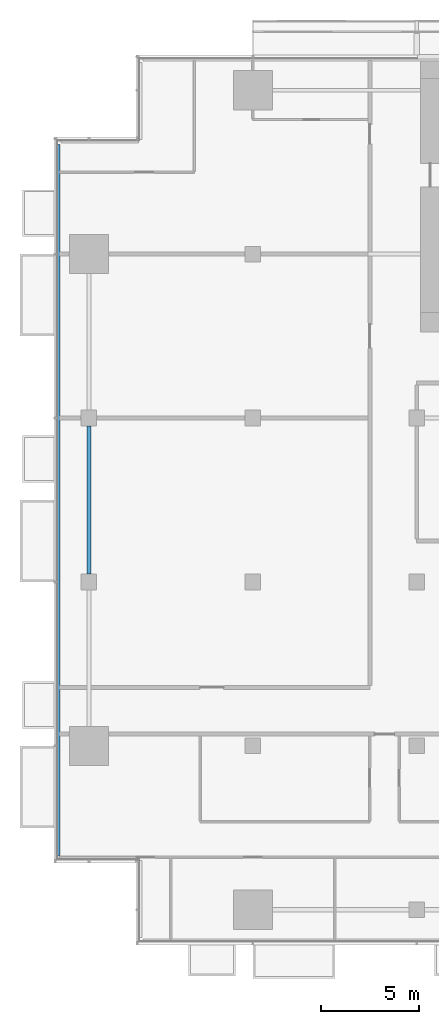
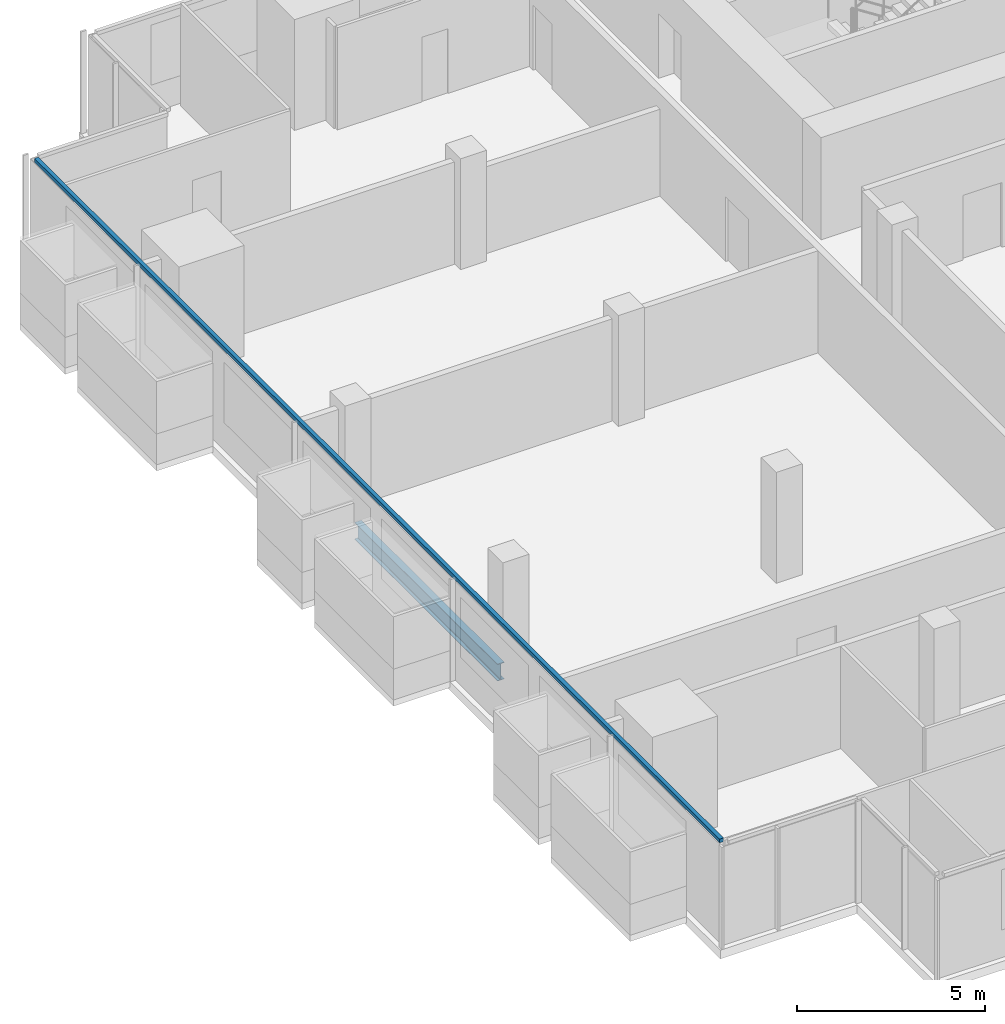
# One storey, part 3 of 26: 1 beam, 1 member, 1 element without a shape of its own.
"""IFC4 building model written with IfcOpenShell, lengths in metres."""

from ifc_helpers import new_model, si_unit, direction, frame, origin, origin_2d, place, context, subcontext, project, spatial, rectangle, i_section, extrude, material, material_profile, profile_set, type_object, element, aggregate, save


model = new_model("IFC4")

# Units and contexts
model_context = context("Model", 3, precision=1e-05, world=origin(), true_north=direction((0.0, 1.0)))
body_context = subcontext(model_context, "Body", "Model", "MODEL_VIEW")
ifc_project = project(units=[si_unit("LENGTHUNIT", "METRE"), si_unit("AREAUNIT", "SQUARE_METRE"), si_unit("VOLUMEUNIT", "CUBIC_METRE"), si_unit("PLANEANGLEUNIT", "RADIAN"), si_unit("MASSUNIT", "GRAM", prefix="KILO")], contexts=[model_context])

# Site, building, storey
site_placement = place(None, origin())
site = spatial("IfcSite", under=ifc_project, at=site_placement, CompositionType="ELEMENT")
building_placement = place(site_placement, origin())
building = spatial("IfcBuilding", under=site, at=building_placement, Name="Saffron Gate Tower", CompositionType="ELEMENT")
storey_placement = place(building_placement, frame((0.0, 0.0, 102.449951171875)))
storey = spatial("IfcBuildingStorey", under=building, at=storey_placement, Name="L23", CompositionType="ELEMENT", Elevation=102.449951171875)

# Beam
ifc_material_1 = material(Name="Structural steel S355", Category="steel")
ifc_material_profile_1 = material_profile(ifc_material_1, i_section(OverallWidth=0.2099609375, OverallDepth=0.550048828125, WebThickness=0.010986328125, FlangeThickness=0.01708984375, FilletRadius=0.02392578125, at=origin_2d()))
ifc_profile_set_1 = profile_set([ifc_material_profile_1], Name="Structural steel S355")
beam_type = type_object("IfcBeamType", Name="B13 IPE 550", PredefinedType="SPANDREL", material=ifc_profile_set_1)
beam_placement = place(storey_placement, frame((49.800048828125, 49.0, -0.554931640625), z_axis=(0.0, 1.0, 0.0), x_axis=(-1.0, 0.0, 0.0)))
element("IfcBeam", 1, at=beam_placement, inside=storey, type_object=beam_type, Name="B13 SPANDREL BEAM", PredefinedType="SPANDREL", context=body_context, shape_type="SweptSolid", body=[
    extrude(i_section(OverallWidth=0.2099609375, OverallDepth=0.550048828125, WebThickness=0.010986328125, FlangeThickness=0.01708984375, FilletRadius=0.02392578125, at=origin_2d()), origin(), (0.0, 0.0, 1.0), 7.60009765625),
])

# Curtain wall, member
ifc_material_2 = material(Name="Aluminium, bronze anodised", Category="aluminium")
curtain_wall_type = type_object("IfcCurtainWallType", Name="CWS2 curtain wall side facades", PredefinedType="NOTDEFINED", material=ifc_material_2)
curtain_wall_placement = place(storey_placement, origin())
curtain_wall = element("IfcCurtainWall", 2, at=curtain_wall_placement, inside=storey, type_object=curtain_wall_type, Name="CWS2 run 10", PredefinedType="NOTDEFINED")
ifc_material_profile_2 = material_profile(ifc_material_2, rectangle(XDim=0.1201171875, YDim=0.1201171875, at=origin_2d()))
ifc_profile_set_2 = profile_set([ifc_material_profile_2], Name="Aluminium, bronze anodised")
member_type = type_object("IfcMemberType", Name="CWS2 head transom", PredefinedType="USERDEFINED", material=ifc_profile_set_2)
member_placement = place(storey_placement, frame((48.248046875, 71.031982421875, 3.260009765625), z_axis=(0.0, -1.0, 0.0), x_axis=(1.0, 0.0, 0.0)))
member = element("IfcMember", 3, at=member_placement, type_object=member_type, Name="CWS2 head transom", ObjectType="TRANSOM", PredefinedType="USERDEFINED", context=body_context, shape_type="SweptSolid", body=[
    extrude(rectangle(XDim=0.1201171875, YDim=0.1201171875, at=origin_2d()), origin(), (0.0, 0.0, 1.0), 36.4638671875),
])
aggregate(curtain_wall, [member])

save(model, "model.ifc")
